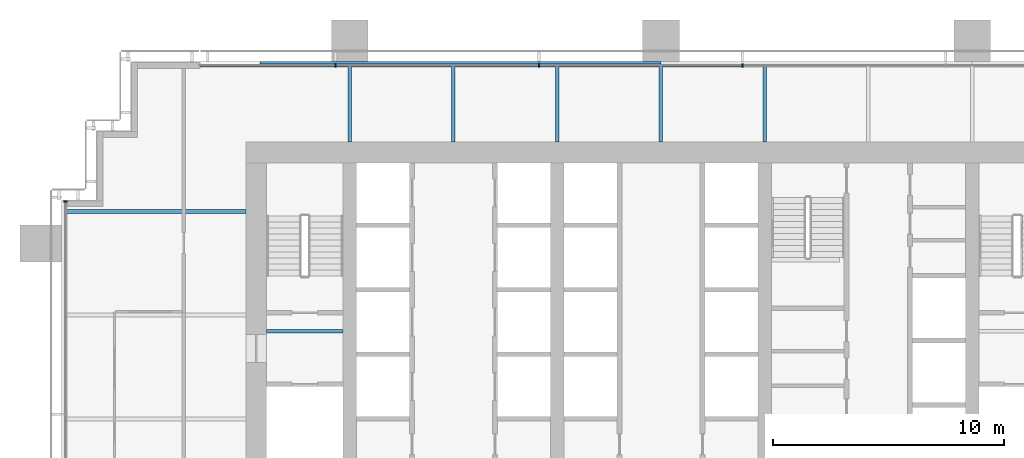
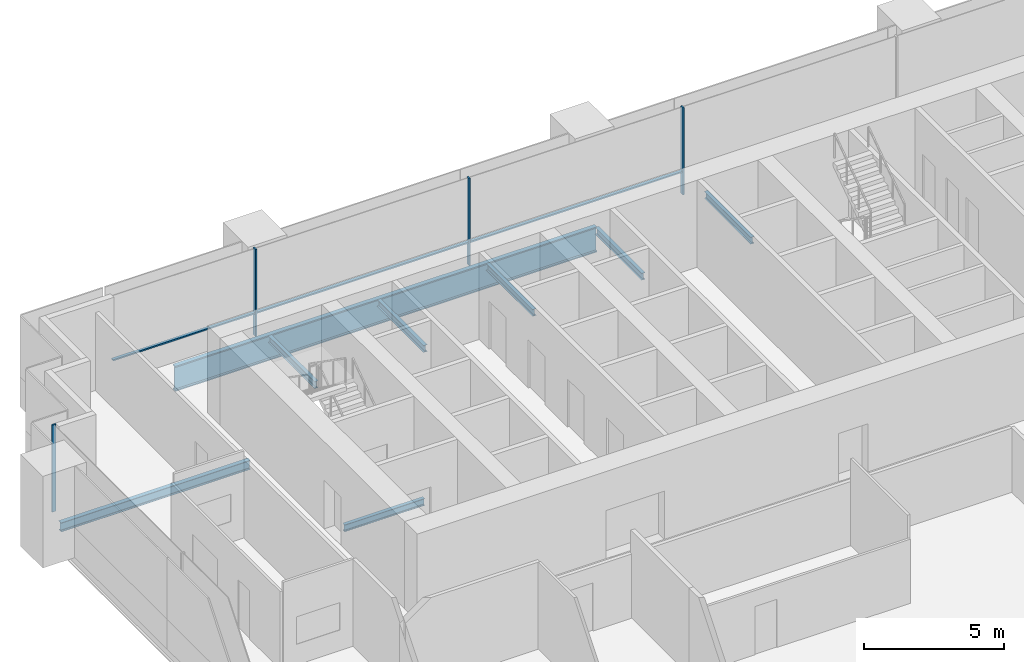
# One storey, part 8 of 19: 8 beams, 7 members, 2 elements without a shape of their own.
"""IFC4 building model written with IfcOpenShell, lengths in metres."""

from ifc_helpers import new_model, si_unit, direction, frame, origin, origin_2d, place, context, subcontext, project, spatial, rectangle, i_section, extrude, material, material_profile, profile_set, type_object, element, aggregate, save


model = new_model("IFC4")

# Units and contexts
model_context = context("Model", 3, precision=1e-05, world=origin(), true_north=direction((0.0, 1.0)))
body_context = subcontext(model_context, "Body", "Model", "MODEL_VIEW")
ifc_project = project(units=[si_unit("LENGTHUNIT", "METRE"), si_unit("AREAUNIT", "SQUARE_METRE"), si_unit("VOLUMEUNIT", "CUBIC_METRE"), si_unit("PLANEANGLEUNIT", "RADIAN"), si_unit("MASSUNIT", "GRAM", prefix="KILO")], contexts=[model_context])

# Site, building, storey
site_placement = place(None, origin())
site = spatial("IfcSite", under=ifc_project, at=site_placement, CompositionType="ELEMENT")
building_placement = place(site_placement, origin())
building = spatial("IfcBuilding", under=site, at=building_placement, Name="Rattan Terrace Tower", CompositionType="ELEMENT")
storey_placement = place(building_placement, frame((0.0, 0.0, 99.699951171875)))
storey = spatial("IfcBuildingStorey", under=building, at=storey_placement, Name="L22", CompositionType="ELEMENT", Elevation=99.699951171875)

# Curtain wall, members
ifc_material_1 = material(Name="Aluminium and glass", Category="aluminium")
curtain_wall_type = type_object("IfcCurtainWallType", Name="Facade Unitised Curtain Wall", PredefinedType="NOTDEFINED", material=ifc_material_1)
curtain_wall_1_placement = place(storey_placement, origin())
curtain_wall_1 = element("IfcCurtainWall", 1, at=curtain_wall_1_placement, inside=storey, type_object=curtain_wall_type, Name="Curtain wall L22-2", PredefinedType="NOTDEFINED")
ifc_material_2 = material(Name="Aluminium", Category="aluminium")
ifc_material_profile_1 = material_profile(ifc_material_2, rectangle(XDim=0.06005859375, YDim=0.159912109375, at=origin_2d()), Name="Aluminium 60x160")
ifc_profile_set_1 = profile_set([ifc_material_profile_1], Name="Aluminium")
member_type_1 = type_object("IfcMemberType", Name="Facade CW Mullion 60x160", PredefinedType="MULLION", material=ifc_profile_set_1)
member_1_placement = place(storey_placement, frame((3.531005859375, 10.830078125, 0.0), z_axis=(0.0, 0.0, 1.0), x_axis=(-1.0, 0.0, 0.0)))
member_1 = element("IfcMember", 2, at=member_1_placement, type_object=member_type_1, Name="Mullion cwl-L22-002.4", PredefinedType="MULLION", context=body_context, shape_type="SweptSolid", body=[
    extrude(rectangle(XDim=0.06005859375, YDim=0.159912109375, at=origin_2d()), origin(), (0.0, 0.0, 1.0), 3.800048828125),
])
member_2_placement = place(storey_placement, frame((-5.2919921875, 10.830078125, 0.0), z_axis=(0.0, 0.0, 1.0), x_axis=(-1.0, 0.0, 0.0)))
member_2 = element("IfcMember", 3, at=member_2_placement, type_object=member_type_1, Name="Mullion cwl-L22-002.5", PredefinedType="MULLION", context=body_context, shape_type="SweptSolid", body=[
    extrude(rectangle(XDim=0.06005859375, YDim=0.159912109375, at=origin_2d()), origin(), (0.0, 0.0, 1.0), 3.800048828125),
])
member_3_placement = place(storey_placement, frame((-14.114990234375, 10.830078125, 0.0), z_axis=(0.0, 0.0, 1.0), x_axis=(-1.0, 0.0, 0.0)))
member_3 = element("IfcMember", 4, at=member_3_placement, type_object=member_type_1, Name="Mullion cwl-L22-002.6", PredefinedType="MULLION", context=body_context, shape_type="SweptSolid", body=[
    extrude(rectangle(XDim=0.06005859375, YDim=0.159912109375, at=origin_2d()), origin(), (0.0, 0.0, 1.0), 3.800048828125),
])

# Curtain wall, member
curtain_wall_2_placement = place(storey_placement, origin())
curtain_wall_2 = element("IfcCurtainWall", 5, at=curtain_wall_2_placement, inside=storey, type_object=curtain_wall_type, Name="Curtain wall L22-3", PredefinedType="NOTDEFINED")
member_4_placement = place(storey_placement, frame((-25.830078125, 4.925048828125, 0.0), z_axis=(0.0, 0.0, 1.0), x_axis=(0.0, -1.0, 0.0)))
member_4 = element("IfcMember", 6, at=member_4_placement, type_object=member_type_1, Name="Mullion cwl-L22-003.1", PredefinedType="MULLION", context=body_context, shape_type="SweptSolid", body=[
    extrude(rectangle(XDim=0.06005859375, YDim=0.159912109375, at=origin_2d()), origin(), (0.0, 0.0, 1.0), 3.800048828125),
])
aggregate(curtain_wall_2, [member_4])

# Member
ifc_material_3 = material(Name="Aluminium", Category="aluminium")
ifc_material_profile_2 = material_profile(ifc_material_3, rectangle(XDim=0.1201171875, YDim=0.06005859375, at=origin_2d()), Name="Aluminium 120x60")
ifc_profile_set_2 = profile_set([ifc_material_profile_2], Name="Aluminium")
member_type_2 = type_object("IfcMemberType", Name="Facade CW Transom 120x60", PredefinedType="USERDEFINED", material=ifc_profile_set_2)
member_5_placement = place(storey_placement, frame((3.5009765625, 10.830078125, 1.0), z_axis=(-1.0, 0.0, 0.0), x_axis=(0.0, -1.0, 0.0)))
member_5 = element("IfcMember", 7, at=member_5_placement, type_object=member_type_2, Name="Transom cwl-L22-002.4", ObjectType="TRANSOM", PredefinedType="USERDEFINED", context=body_context, shape_type="SweptSolid", body=[
    extrude(rectangle(XDim=0.1201171875, YDim=0.06005859375, at=origin_2d()), origin(), (0.0, 0.0, 1.0), 8.762939453125),
])

member_6_placement = place(storey_placement, frame((-5.322021484375, 10.830078125, 1.0), z_axis=(-1.0, 0.0, 0.0), x_axis=(0.0, -1.0, 0.0)))
member_6 = element("IfcMember", 8, at=member_6_placement, type_object=member_type_2, Name="Transom cwl-L22-002.5", ObjectType="TRANSOM", PredefinedType="USERDEFINED", context=body_context, shape_type="SweptSolid", body=[
    extrude(rectangle(XDim=0.1201171875, YDim=0.06005859375, at=origin_2d()), origin(), (0.0, 0.0, 1.0), 8.762939453125),
])

member_7_placement = place(storey_placement, frame((-14.14501953125, 10.830078125, 1.0), z_axis=(-1.0, 0.0, 0.0), x_axis=(0.0, -1.0, 0.0)))
member_7 = element("IfcMember", 9, at=member_7_placement, type_object=member_type_2, Name="Transom cwl-L22-002.6", ObjectType="TRANSOM", PredefinedType="USERDEFINED", context=body_context, shape_type="SweptSolid", body=[
    extrude(rectangle(XDim=0.1201171875, YDim=0.06005859375, at=origin_2d()), origin(), (0.0, 0.0, 1.0), 5.85498046875),
])

aggregate(curtain_wall_1, [member_1, member_2, member_3, member_5, member_6, member_7])

# Beams
ifc_material_4 = material(Name="Steel S460", Category="steel")
ifc_material_profile_3 = material_profile(ifc_material_4, i_section(OverallWidth=0.179931640625, OverallDepth=1.10009765625, WebThickness=0.01611328125, FlangeThickness=0.050048828125, at=origin_2d()), Name="PG 1100x180-16-50")
ifc_profile_set_3 = profile_set([ifc_material_profile_3], Name="Steel S460")
beam_type_1 = type_object("IfcBeamType", Name="Frame edge girder PG 1100x180-16-50", PredefinedType="SPANDREL", material=ifc_profile_set_3)
beam_1_placement = place(storey_placement, frame((-17.39990234375, 10.909912109375, -0.75), z_axis=(1.0, 0.0, 0.0), x_axis=(0.0, 1.0, 0.0)))
element("IfcBeam", 10, at=beam_1_placement, inside=storey, type_object=beam_type_1, Name="gdr-L22-006", PredefinedType="SPANDREL", context=body_context, shape_type="SweptSolid", body=[
    extrude(i_section(OverallWidth=0.179931640625, OverallDepth=1.10009765625, WebThickness=0.01611328125, FlangeThickness=0.050048828125, at=origin_2d()), origin(), (0.0, 0.0, 1.0), 17.39990234375),
])
ifc_material_5 = material(Name="Steel S355", Category="steel")
ifc_material_profile_4 = material_profile(ifc_material_5, i_section(OverallWidth=0.14990234375, OverallDepth=0.300048828125, WebThickness=0.007080078125, FlangeThickness=0.0107421875, FilletRadius=0.014892578125, at=origin_2d()), Name="IPE 300")
ifc_profile_set_4 = profile_set([ifc_material_profile_4], Name="Steel S355")
beam_type_2 = type_object("IfcBeamType", Name="Frame floor beam IPE 300", PredefinedType="JOIST", material=ifc_profile_set_4)
beam_2_placement = place(storey_placement, frame((-17.10009765625, -0.695068359375, -0.349853515625), z_axis=(1.0, 0.0, 0.0), x_axis=(0.0, 1.0, 0.0)))
element("IfcBeam", 11, at=beam_2_placement, inside=storey, type_object=beam_type_2, Name="bm-L22-001", PredefinedType="JOIST", context=body_context, shape_type="SweptSolid", body=[
    extrude(i_section(OverallWidth=0.14990234375, OverallDepth=0.300048828125, WebThickness=0.007080078125, FlangeThickness=0.0107421875, FilletRadius=0.014892578125, at=origin_2d()), origin(), (0.0, 0.0, 1.0), 3.300048828125),
])
for number, where, z_axis, x_axis, name in (
    (12, (-13.5, 7.5, -0.349853515625), (0.0, 1.0, 0.0), (-1.0, 0.0, 0.0), "bm-L22-018"),
    (13, (-9.0, 7.5, -0.349853515625), (0.0, 1.0, 0.0), (-1.0, 0.0, 0.0), "bm-L22-019"),
    (14, (-4.5, 7.5, -0.349853515625), (0.0, 1.0, 0.0), (-1.0, 0.0, 0.0), "bm-L22-020"),
    (15, (0.0, 7.5, -0.349853515625), (0.0, 1.0, 0.0), (-1.0, 0.0, 0.0), "bm-L22-021"),
    (16, (4.5, 7.5, -0.349853515625), (0.0, 1.0, 0.0), (-1.0, 0.0, 0.0), "bm-L22-022"),
):
    element("IfcBeam", number, at=place(storey_placement, frame(where, z_axis=z_axis, x_axis=x_axis)), inside=storey, type_object=beam_type_2, Name=name, PredefinedType="JOIST", context=body_context, shape_type="SweptSolid", body=[
        extrude(i_section(OverallWidth=0.14990234375, OverallDepth=0.300048828125, WebThickness=0.007080078125, FlangeThickness=0.0107421875, FilletRadius=0.014892578125, at=origin_2d()), origin(), (0.0, 0.0, 1.0), 3.320068359375),
    ])
ifc_material_6 = material(Name="Steel S355", Category="steel")
ifc_material_profile_5 = material_profile(ifc_material_6, i_section(OverallWidth=0.179931640625, OverallDepth=0.39990234375, WebThickness=0.008544921875, FlangeThickness=0.013427734375, FilletRadius=0.02099609375, at=origin_2d()), Name="IPE 400")
ifc_profile_set_5 = profile_set([ifc_material_profile_5], Name="Steel S355")
beam_type_3 = type_object("IfcBeamType", Name="Frame floor beam IPE 400", PredefinedType="JOIST", material=ifc_profile_set_5)
beam_3_placement = place(storey_placement, frame((-25.820068359375, 4.5, -0.39990234375), z_axis=(1.0, 0.0, 0.0), x_axis=(0.0, 1.0, 0.0)))
element("IfcBeam", 17, at=beam_3_placement, inside=storey, type_object=beam_type_3, Name="bm-L22-016", PredefinedType="JOIST", context=body_context, shape_type="SweptSolid", body=[
    extrude(i_section(OverallWidth=0.179931640625, OverallDepth=0.39990234375, WebThickness=0.008544921875, FlangeThickness=0.013427734375, FilletRadius=0.02099609375, at=origin_2d()), origin(), (0.0, 0.0, 1.0), 7.820068359375),
])

save(model, "model.ifc")
